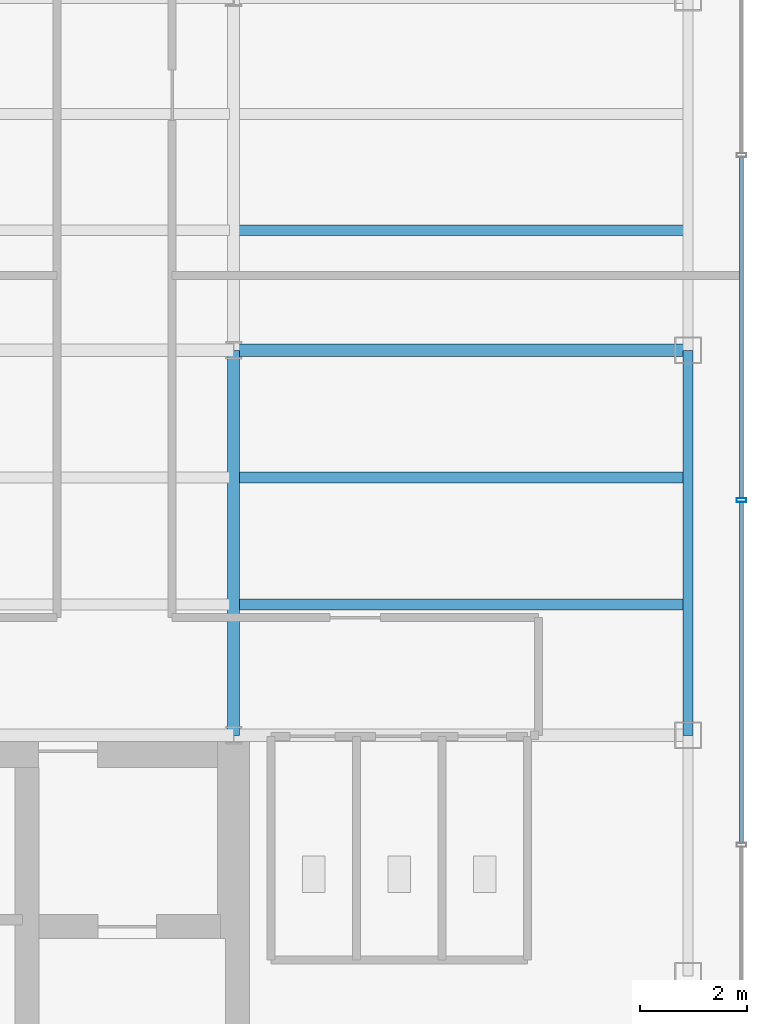
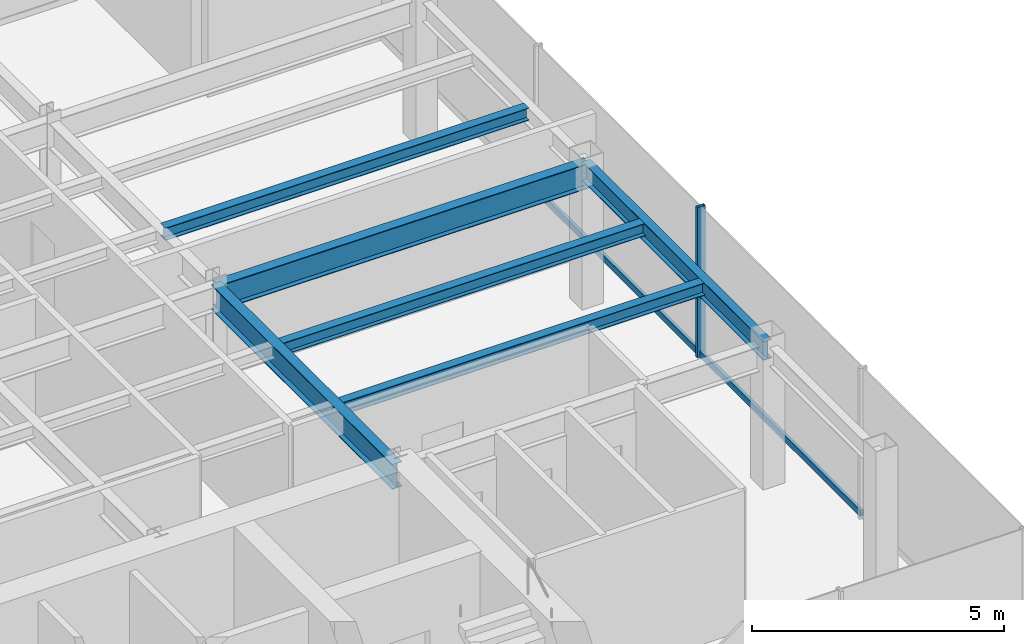
# One storey, part 10 of 22: 6 beams, 3 members, 1 element without a shape of its own.
"""IFC4 building model written with IfcOpenShell, lengths in metres."""

from ifc_helpers import new_model, si_unit, derived_unit, direction, frame, origin, origin_2d, place, context, subcontext, project, spatial, hollow_rectangle, i_section, extrude, source, transform, mapped, material, material_profile, profile_set, type_object, element, aggregate, save


model = new_model("IFC4")

# Units and contexts
model_context = context("Model", 3, precision=1e-05, world=origin(), true_north=direction((0.0, 1.0)))
body_context = subcontext(model_context, "Body", "Model", "MODEL_VIEW")
ifc_project = project(units=[si_unit("LENGTHUNIT", "METRE"), si_unit("AREAUNIT", "SQUARE_METRE"), si_unit("VOLUMEUNIT", "CUBIC_METRE"), si_unit("PLANEANGLEUNIT", "RADIAN"), si_unit("MASSUNIT", "GRAM", prefix="KILO"), derived_unit("THERMALTRANSMITTANCEUNIT", [(si_unit("POWERUNIT", "WATT"), 1), (si_unit("LENGTHUNIT", "METRE"), -2), (si_unit("THERMODYNAMICTEMPERATUREUNIT", "KELVIN"), -1)])], contexts=[model_context])

# Site, building, storey
site_placement = place(None, origin())
site = spatial("IfcSite", under=ifc_project, at=site_placement, CompositionType="ELEMENT")
building_placement = place(site_placement, origin())
building = spatial("IfcBuilding", under=site, at=building_placement, Name="Skarnbrae Concourse Arena and Tower", CompositionType="ELEMENT")
storey_placement = place(building_placement, frame((0.0, 0.0, 247.85009765625)))
storey = spatial("IfcBuildingStorey", under=building, at=storey_placement, Name="L64", CompositionType="ELEMENT", Elevation=247.85009765625)

# Beams
ifc_material_1 = material(Name="Steel CSA G40.21 350W", Category="steel")
ifc_material_profile_1 = material_profile(ifc_material_1, i_section(OverallWidth=0.22802734375, OverallDepth=0.60791015625, WebThickness=0.01123046875, FlangeThickness=0.017333984375, at=origin_2d()), Name="W610X113")
ifc_profile_set_1 = profile_set([ifc_material_profile_1], Name="Steel CSA G40.21 350W")
beam_type_1 = type_object("IfcBeamType", Name="BM-GIRD-W610X113", PredefinedType="BEAM", material=ifc_profile_set_1)
shared_shape_1 = source(origin(), body_context, "Body", "SweptSolid", [
    extrude(i_section(OverallWidth=0.22802734375, OverallDepth=0.60791015625, WebThickness=0.01123046875, FlangeThickness=0.017333984375, at=origin_2d()), origin(), (0.0, 0.0, 1.0), 8.5),
])
beam_1_placement = place(storey_placement, frame((33.5, 21.199951171875, 3.095947265625), z_axis=(1.0, 0.0, 0.0), x_axis=(0.0, 1.0, 0.0)))
element("IfcBeam", 1, at=beam_1_placement, inside=storey, type_object=beam_type_1, Name="L64 Primary E-W girder Y21.2-6", PredefinedType="BEAM", context=body_context, shape_type="MappedRepresentation", body=[
    mapped(shared_shape_1, transform((0.0, 0.0, 0.0))),
])
ifc_material_profile_2 = material_profile(ifc_material_1, i_section(OverallWidth=0.19091796875, OverallDepth=0.4599609375, WebThickness=0.010009765625, FlangeThickness=0.01611328125, at=origin_2d()), Name="W460X82")
ifc_profile_set_2 = profile_set([ifc_material_profile_2], Name="Steel CSA G40.21 350W")
beam_type_2 = type_object("IfcBeamType", Name="BM-SPAN-W460X82", PredefinedType="SPANDREL", material=ifc_profile_set_2)
shared_shape_2 = source(origin(), body_context, "Body", "SweptSolid", [
    extrude(i_section(OverallWidth=0.19091796875, OverallDepth=0.4599609375, WebThickness=0.010009765625, FlangeThickness=0.01611328125, at=origin_2d()), origin(), (0.0, 0.0, 1.0), 7.199951171875),
])
beam_2_placement = place(storey_placement, frame((42.0, 14.0, 3.169921875), z_axis=(0.0, 1.0, 0.0), x_axis=(-1.0, 0.0, 0.0)))
element("IfcBeam", 2, at=beam_2_placement, inside=storey, type_object=beam_type_2, Name="L64 Perimeter spandrel X42.0-2", PredefinedType="SPANDREL", context=body_context, shape_type="MappedRepresentation", body=[
    mapped(shared_shape_2, transform((0.0, 0.0, 0.0))),
])
shared_shape_3 = source(origin(), body_context, "Body", "SweptSolid", [
    extrude(i_section(OverallWidth=0.22802734375, OverallDepth=0.60791015625, WebThickness=0.01123046875, FlangeThickness=0.017333984375, at=origin_2d()), origin(), (0.0, 0.0, 1.0), 7.199951171875),
])
beam_3_placement = place(storey_placement, frame((33.5, 14.0, 3.095947265625), z_axis=(0.0, 1.0, 0.0), x_axis=(-1.0, 0.0, 0.0)))
element("IfcBeam", 3, at=beam_3_placement, inside=storey, type_object=beam_type_1, Name="L64 Primary N-S girder X33.5-1", PredefinedType="BEAM", context=body_context, shape_type="MappedRepresentation", body=[
    mapped(shared_shape_3, transform((0.0, 0.0, 0.0))),
])
ifc_material_profile_3 = material_profile(ifc_material_1, i_section(OverallWidth=0.202880859375, OverallDepth=0.302978515625, WebThickness=0.007568359375, FlangeThickness=0.01318359375, at=origin_2d()), Name="W310X60")
ifc_profile_set_3 = profile_set([ifc_material_profile_3], Name="Steel CSA G40.21 350W")
beam_type_3 = type_object("IfcBeamType", Name="BM-JOIST-W310X60", PredefinedType="JOIST", material=ifc_profile_set_3)
shared_shape_4 = source(origin(), body_context, "Body", "SweptSolid", [
    extrude(i_section(OverallWidth=0.202880859375, OverallDepth=0.302978515625, WebThickness=0.007568359375, FlangeThickness=0.01318359375, at=origin_2d()), origin(), (0.0, 0.0, 1.0), 8.33984375),
])
for number, where, z_axis, x_axis, name in (
    (4, (33.580078125, 16.447998046875, 3.248291015625), (1.0, 0.0, 0.0), (0.0, 1.0, 0.0), "L64 Secondary floor joist 1.1.6"),
    (5, (33.580078125, 18.823974609375, 3.248291015625), (1.0, 0.0, 0.0), (0.0, 1.0, 0.0), "L64 Secondary floor joist 1.2.6"),
    (6, (33.580078125, 23.444091796875, 3.248291015625), (1.0, 0.0, 0.0), (0.0, 1.0, 0.0), "L64 Secondary floor joist 2.1.6"),
):
    element("IfcBeam", number, at=place(storey_placement, frame(where, z_axis=z_axis, x_axis=x_axis)), inside=storey, type_object=beam_type_3, Name=name, PredefinedType="JOIST", context=body_context, shape_type="MappedRepresentation", body=[
        mapped(shared_shape_4, transform((0.0, 0.0, 0.0))),
    ])

# Curtain wall, members
ifc_material_2 = material(Name="Bronze anodised aluminium 6063-T6", Category="aluminium")
curtain_wall_type = type_object("IfcCurtainWallType", Name="CW-SYS-05-HIGHZONE", PredefinedType="USERDEFINED", material=ifc_material_2)
curtain_wall_placement = place(storey_placement, origin())
curtain_wall = element("IfcCurtainWall", 7, at=curtain_wall_placement, inside=storey, type_object=curtain_wall_type, Name="L64 Unitised curtain wall CW-L64-E04", ObjectType="UNITISED CURTAIN WALL", PredefinedType="USERDEFINED")
ifc_material_profile_4 = material_profile(ifc_material_2, hollow_rectangle(XDim=0.074951171875, YDim=0.179931640625, WallThickness=0.00390625, at=origin_2d()), Name="ALU-MULL-75X180")
ifc_profile_set_4 = profile_set([ifc_material_profile_4], Name="Bronze anodised aluminium 6063-T6")
member_type_1 = type_object("IfcMemberType", Name="CWM-CW-05", PredefinedType="MULLION", material=ifc_profile_set_4)
shared_shape_5 = source(origin(), body_context, "Body", "SweptSolid", [
    extrude(hollow_rectangle(XDim=0.074951171875, YDim=0.179931640625, WallThickness=0.00390625, at=origin_2d()), origin(), (0.0, 0.0, 1.0), 3.64990234375),
])
member_1_placement = place(storey_placement, frame((43.0, 18.39990234375, 0.0), z_axis=(0.0, 0.0, 1.0), x_axis=(0.0, 1.0, 0.0)))
member_1 = element("IfcMember", 8, at=member_1_placement, type_object=member_type_1, Name="CW-L64-E04 Mullion 3", PredefinedType="MULLION", context=body_context, shape_type="MappedRepresentation", body=[
    mapped(shared_shape_5, transform((0.0, 0.0, 0.0))),
])
ifc_material_profile_5 = material_profile(ifc_material_2, hollow_rectangle(XDim=0.074951171875, YDim=0.14990234375, WallThickness=0.00390625, at=origin_2d()), Name="ALU-TRAN-75X150")
ifc_profile_set_5 = profile_set([ifc_material_profile_5], Name="Bronze anodised aluminium 6063-T6")
member_type_2 = type_object("IfcMemberType", Name="CWT-CW-05", PredefinedType="USERDEFINED", material=ifc_profile_set_5)
shared_shape_6 = source(origin(), body_context, "Body", "SweptSolid", [
    extrude(hollow_rectangle(XDim=0.074951171875, YDim=0.14990234375, WallThickness=0.00390625, at=origin_2d()), origin(), (0.0, 0.0, 1.0), 6.375),
])
member_2_placement = place(storey_placement, frame((43.0, 11.987548828125, 0.074951171875), z_axis=(0.0, 1.0, 0.0), x_axis=(-1.0, 0.0, 0.0)))
member_2 = element("IfcMember", 9, at=member_2_placement, type_object=member_type_2, Name="CW-L64-E04 Transom 2", ObjectType="TRANSOM", PredefinedType="USERDEFINED", context=body_context, shape_type="MappedRepresentation", body=[
    mapped(shared_shape_6, transform((0.0, 0.0, 0.0))),
])
member_3_placement = place(storey_placement, frame((43.0, 18.4375, 0.074951171875), z_axis=(0.0, 1.0, 0.0), x_axis=(-1.0, 0.0, 0.0)))
member_3 = element("IfcMember", 10, at=member_3_placement, type_object=member_type_2, Name="CW-L64-E04 Transom 3", ObjectType="TRANSOM", PredefinedType="USERDEFINED", context=body_context, shape_type="MappedRepresentation", body=[
    mapped(shared_shape_6, transform((0.0, 0.0, 0.0))),
])
aggregate(curtain_wall, [member_1, member_2, member_3])

save(model, "model.ifc")
